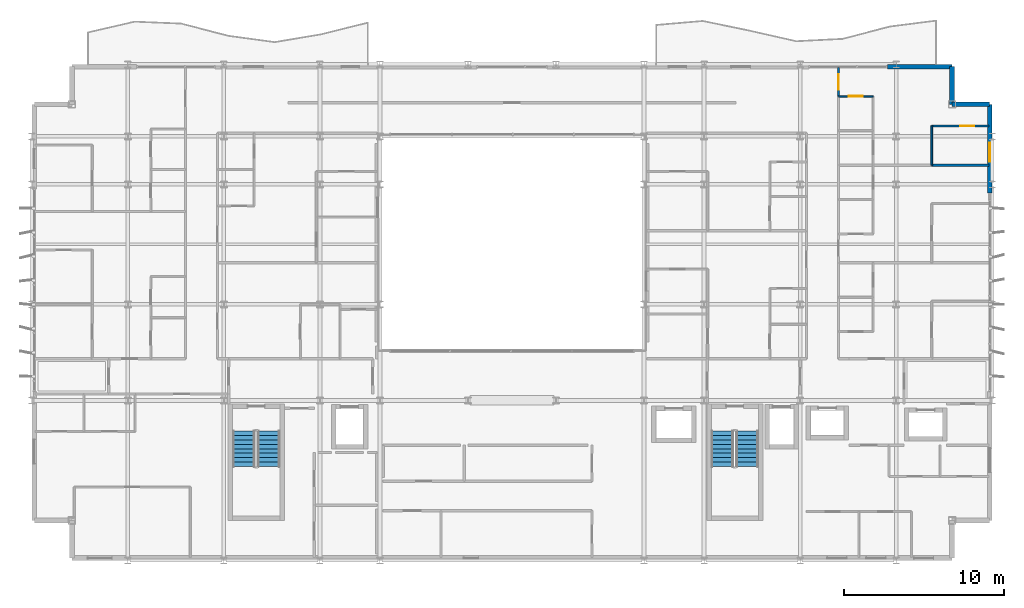
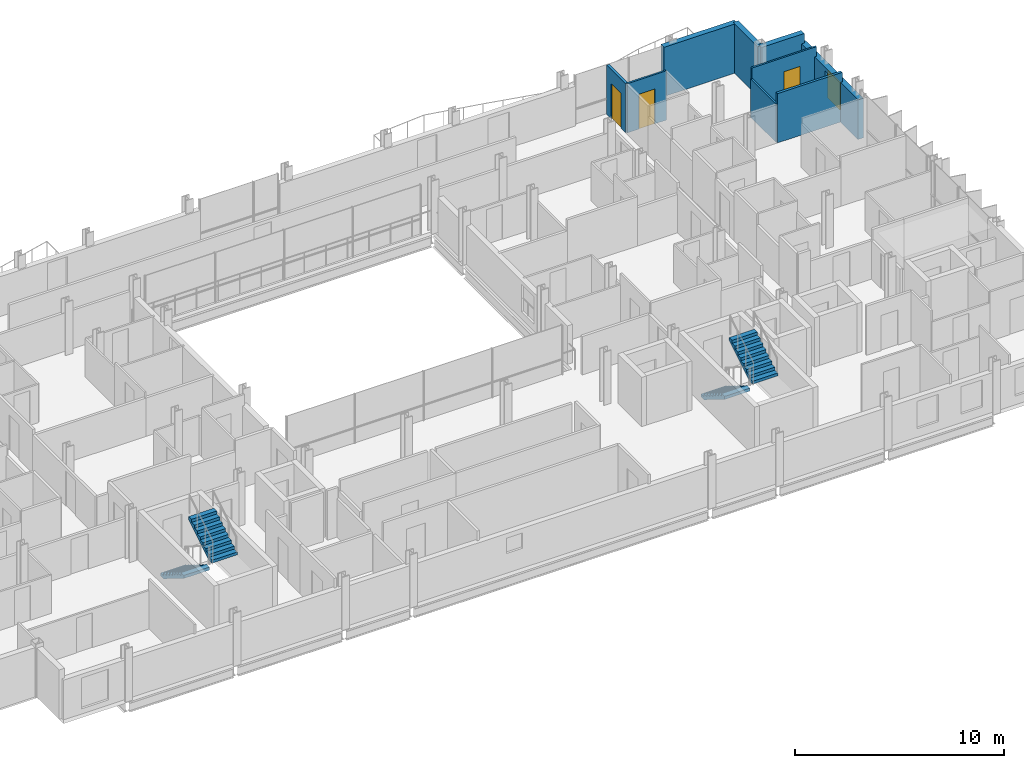
# One storey, part 33 of 38: 9 walls, 4 stair flights, 3 doors, 1 window, 4 openings, 2 elements without a shape of their own.
"""IFC4 building model written with IfcOpenShell, lengths in metres."""

import ifcopenshell
import ifcopenshell.guid

model = None  # the IFC model being written
_history = None  # IfcOwnerHistory: only IFC2X3 demands one
_inside = {}  # id of a spatial element -> (the spatial element, [elements in it])
_under = {}  # id of a project, library or spatial element -> (it, [spatial elements below it])
_declared = {}  # id of a project -> (the project, [libraries it declares])
_typed = {}  # id of a type object -> (the type object, [elements of that type])
_made_of = {}  # id of a material, layer set ... -> (it, [elements and type objects made of it])


def new_model(schema):
    """Start an empty IFC model of exactly this schema.

    Asked for "IFC4X3", IfcOpenShell would pick the latest addendum, in which some entities
    have other attributes; the version numbers below select the first issue.
    IFC2X3 requires an IfcOwnerHistory on every rooted entity: one is made here for all.
    """
    global model, _history
    if schema == "IFC4X3":
        model = ifcopenshell.file(schema_version=(4, 3, 0, 0))
    else:
        model = ifcopenshell.file(schema=schema)
    _inside.clear()
    _under.clear()
    _declared.clear()
    _typed.clear()
    _made_of.clear()
    _history = None
    if model.schema == "IFC2X3":
        org = make("IfcOrganization", Name="unknown")
        user = make(
            "IfcPersonAndOrganization",
            ThePerson=make("IfcPerson", FamilyName="unknown"),
            TheOrganization=org,
        )
        app = make(
            "IfcApplication",
            ApplicationDeveloper=org,
            Version="unknown",
            ApplicationFullName="unknown",
            ApplicationIdentifier="unknown",
        )
        _history = make(
            "IfcOwnerHistory",
            OwningUser=user,
            OwningApplication=app,
            ChangeAction="ADDED",
            CreationDate=0,
        )
    return model


def make(cls, **values):
    """One entity of the class cls with the attributes given. An attribute that is None is left unset."""
    return model.create_entity(
        cls, **{name: value for name, value in values.items() if value is not None}
    )


def rooted(cls, **values):
    """An entity with a GlobalId (a new one), such as an element, a storey or a relation."""
    return make(cls, GlobalId=ifcopenshell.guid.new(), OwnerHistory=_history, **values)


def si_unit(unit_type, name, prefix=None):
    """IfcSIUnit, for example si_unit("LENGTHUNIT", "METRE", prefix="MILLI")."""
    return make("IfcSIUnit", UnitType=unit_type, Prefix=prefix, Name=name)


def assignment(units):
    """IfcUnitAssignment: the units of a project."""
    return None if units is None else make("IfcUnitAssignment", Units=units)


def point(xyz):
    """IfcCartesianPoint."""
    return None if xyz is None else make("IfcCartesianPoint", Coordinates=xyz)


def direction(xyz):
    """IfcDirection."""
    return None if xyz is None else make("IfcDirection", DirectionRatios=xyz)


def frame(location, z_axis=None, x_axis=None):
    """IfcAxis2Placement3D, a coordinate frame: its origin and axes. An axis left out is left unset."""
    return make(
        "IfcAxis2Placement3D",
        Location=point(location),
        Axis=direction(z_axis),
        RefDirection=direction(x_axis),
    )


def frame_2d(location, x_axis=None):
    """IfcAxis2Placement2D, a coordinate frame in the plane: its origin and x axis."""
    return make(
        "IfcAxis2Placement2D", Location=point(location), RefDirection=direction(x_axis)
    )


def origin():
    """The frame at (0, 0, 0) with its axes left unset."""
    return frame((0.0, 0.0, 0.0))


def place(relative_to, where):
    """IfcLocalPlacement: puts the frame where relative to a parent placement (None: the world)."""
    return make(
        "IfcLocalPlacement", PlacementRelTo=relative_to, RelativePlacement=where
    )


def context(
    kind, dimensions, precision=None, world=None, true_north=None, identifier=None
):
    """IfcGeometricRepresentationContext, for example the 3D "Model" context."""
    return make(
        "IfcGeometricRepresentationContext",
        ContextIdentifier=identifier,
        ContextType=kind,
        CoordinateSpaceDimension=dimensions,
        Precision=precision,
        WorldCoordinateSystem=world,
        TrueNorth=true_north,
    )


def subcontext(parent, identifier, kind, view, scale=None):
    """IfcGeometricRepresentationSubContext, for example "Body" below "Model"."""
    return make(
        "IfcGeometricRepresentationSubContext",
        ContextIdentifier=identifier,
        ContextType=kind,
        ParentContext=parent,
        TargetScale=scale,
        TargetView=view,
    )


def project(units=None, contexts=None):
    """IfcProject with its units and contexts."""
    return rooted(
        "IfcProject",
        Name="project",
        RepresentationContexts=contexts,
        UnitsInContext=assignment(units),
    )


def spatial(cls, under=None, at=None, **own):
    """A site, building, storey or space (cls), placed at a placement, below another one or the project."""
    s = rooted(cls, ObjectPlacement=at, **own)
    if under is not None:
        _under.setdefault(under.id(), (under, []))[1].append(s)
    return s


def polyline(points):
    """IfcPolyline through the points."""
    return make("IfcPolyline", Points=[point(p) for p in points])


def profile(cls, at=None, kind="AREA", **sizes):
    """A parametric profile (cls). Its sizes go by their IFC names, for example OverallWidth=200.0."""
    return make(cls, ProfileType=kind, Position=at, **sizes)


def rectangle(**sizes):
    """IfcRectangleProfileDef."""
    return profile("IfcRectangleProfileDef", **sizes)


def outline(outer, holes=None, kind="AREA"):
    """IfcArbitraryClosedProfileDef: a profile drawn as a closed curve; with holes, ...WithVoids."""
    if holes is None:
        return make("IfcArbitraryClosedProfileDef", ProfileType=kind, OuterCurve=outer)
    return make(
        "IfcArbitraryProfileDefWithVoids",
        ProfileType=kind,
        OuterCurve=outer,
        InnerCurves=holes,
    )


def extrude(swept, where, along, depth):
    """IfcExtrudedAreaSolid: the profile swept, set in the frame where, extruded along a direction by depth."""
    return make(
        "IfcExtrudedAreaSolid",
        SweptArea=swept,
        Position=where,
        ExtrudedDirection=direction(along),
        Depth=depth,
    )


def shape(context_of_items, identifier, shape_type, items):
    """IfcShapeRepresentation: the items that make up one representation, for example the "Body"."""
    return make(
        "IfcShapeRepresentation",
        ContextOfItems=context_of_items,
        RepresentationIdentifier=identifier,
        RepresentationType=shape_type,
        Items=items,
    )


def material(Name=None, Category=None):
    """IfcMaterial."""
    return make("IfcMaterial", Name=Name, Category=Category)


def layer(
    of_material, thickness, ventilated=None, Name=None, Category=None, Priority=None
):
    """IfcMaterialLayer: one layer of a wall or slab, of a material (None: an air gap)."""
    return make(
        "IfcMaterialLayer",
        Material=of_material,
        LayerThickness=thickness,
        IsVentilated=ventilated,
        Name=Name,
        Category=Category,
        Priority=Priority,
    )


def layer_set(layers, Name=None):
    """IfcMaterialLayerSet."""
    return make("IfcMaterialLayerSet", MaterialLayers=layers, LayerSetName=Name)


def made_of(thing, what):
    """Note that an element or type object is made of a material, layer set ...; save() writes the relation."""
    if what is not None:
        _made_of.setdefault(what.id(), (what, []))[1].append(thing)
    return thing


def type_object(cls, material=None, **own):
    """A type object (cls), such as IfcWallType, which elements share."""
    return made_of(rooted(cls, **own), material)


def element(
    cls,
    number,
    at=None,
    inside=None,
    cuts=None,
    type_object=None,
    material=None,
    context=None,
    identifier="Body",
    shape_type=None,
    held_by="IfcProductDefinitionShape",
    body=None,
    shapes=None,
    **own,
):
    """One element of the class cls, such as IfcWall. Its Tag is "e" and its number.

    at: its placement. inside: the storey or other place that contains it. cuts: it is an
    opening in that element (IfcRelVoidsElement). A single representation is given by context,
    identifier, shape_type and body (its items); several are given by shapes. held_by: the class
    of the entity that holds the representations. save() writes the other relations.
    """
    e = rooted(cls, Tag="e%d" % number, ObjectPlacement=at, **own)
    if body is not None:
        shapes = [shape(context, identifier, shape_type, body)]
    if shapes is not None:
        e.Representation = make(held_by, Representations=shapes)
    if inside is not None:
        _inside.setdefault(inside.id(), (inside, []))[1].append(e)
    if cuts is not None:
        rooted(
            "IfcRelVoidsElement", RelatingBuildingElement=cuts, RelatedOpeningElement=e
        )
    if type_object is not None:
        _typed.setdefault(type_object.id(), (type_object, []))[1].append(e)
    return made_of(e, material)


def fill(opening, filler):
    """IfcRelFillsElement: the door or window that sits in an opening."""
    return rooted(
        "IfcRelFillsElement",
        RelatingOpeningElement=opening,
        RelatedBuildingElement=filler,
    )


def aggregate(whole, parts):
    """IfcRelAggregates: a whole, such as a stair, and the parts it consists of."""
    return rooted("IfcRelAggregates", RelatingObject=whole, RelatedObjects=parts)


def save(model, path):
    """Write the relations noted so far, then the file.

    IfcRelAggregates (storeys below a building ...), IfcRelContainedInSpatialStructure (elements
    in a storey), IfcRelDefinesByType, IfcRelAssociatesMaterial and IfcRelDeclares: one each for
    every whole, place, type object, material and project.
    """
    for whole, parts in _under.values():
        aggregate(whole, parts)
    for where, things in _inside.values():
        rooted(
            "IfcRelContainedInSpatialStructure",
            RelatedElements=things,
            RelatingStructure=where,
        )
    for kind, things in _typed.values():
        rooted("IfcRelDefinesByType", RelatedObjects=things, RelatingType=kind)
    for what, things in _made_of.values():
        rooted("IfcRelAssociatesMaterial", RelatedObjects=things, RelatingMaterial=what)
    for by, libraries in _declared.values():
        rooted("IfcRelDeclares", RelatingContext=by, RelatedDefinitions=libraries)
    model.write(path)


model = new_model("IFC4")

# Units and contexts
model_context = context("Model", 3, precision=1e-05, world=origin(), true_north=direction((0.0, 1.0)))
body_context = subcontext(model_context, "Body", "Model", "MODEL_VIEW")
ifc_project = project(units=[si_unit("LENGTHUNIT", "METRE"), si_unit("AREAUNIT", "SQUARE_METRE"), si_unit("VOLUMEUNIT", "CUBIC_METRE"), si_unit("PLANEANGLEUNIT", "RADIAN"), si_unit("MASSUNIT", "GRAM", prefix="KILO")], contexts=[model_context])

# Site, building, storey
site_placement = place(None, origin())
site = spatial("IfcSite", under=ifc_project, at=site_placement, CompositionType="ELEMENT")
building_placement = place(site_placement, origin())
building = spatial("IfcBuilding", under=site, at=building_placement, Name="Brevholm Reach", CompositionType="ELEMENT")
storey_placement = place(building_placement, frame((0.0, 0.0, 122.10009765625)))
storey = spatial("IfcBuildingStorey", under=building, at=storey_placement, Name="L36", CompositionType="ELEMENT", Elevation=122.10009765625)

# Walls
ifc_material_1 = material(Name="Concrete C40/50", Category="concrete")
ifc_layer_1 = layer(ifc_material_1, 0.300048828125)
ifc_layer_set_1 = layer_set([ifc_layer_1], Name="Concrete C40/50")
wall_type_1 = type_object("IfcWallType", Name="WAL-EXT-300", PredefinedType="STANDARD", material=ifc_layer_set_1)
for number, where, z_axis, x_axis, name in (
    (1, (59.85009765625, 28.5, 0.0), (0.0, 0.0, 1.0), (-1.0, 0.0, 0.0), "L36 Facade Wall WAL-L36-CNE1"),
    (2, (57.5, 28.5, 0.0), (0.0, 0.0, 1.0), (0.0, 1.0, 0.0), "L36 Facade Wall WAL-L36-CNE2"),
):
    element("IfcWall", number, at=place(storey_placement, frame(where, z_axis=z_axis, x_axis=x_axis)), inside=storey, type_object=wall_type_1, Name=name, PredefinedType="STANDARD", context=body_context, shape_type="SweptSolid", body=[
        extrude(rectangle(XDim=2.35009765625, YDim=0.300048828125, at=frame_2d((1.175048828125, 0.0))), origin(), (0.0, 0.0, 1.0), 2.8798828125),
    ])

# Wall, opening, window
wall_1_placement = place(storey_placement, frame((59.85009765625, 22.949951171875, 0.0), z_axis=(0.0, 0.0, 1.0), x_axis=(0.0, 1.0, 0.0)))
wall_1 = element("IfcWall", 3, at=wall_1_placement, inside=storey, type_object=wall_type_1, Name="L36 Facade Wall WAL-L36-E-N", PredefinedType="STANDARD", context=body_context, shape_type="SweptSolid", body=[
    extrude(rectangle(XDim=5.550048828125, YDim=0.300048828125, at=frame_2d((2.77490234375, 0.0))), origin(), (0.0, 0.0, 1.0), 2.32177734375),
])
opening_1_placement = place(wall_1_placement, frame((1.949951171875, 0.0, 0.501953125)))
opening_1 = element("IfcOpeningElement", 4, at=opening_1_placement, cuts=wall_1, Name="Opening WN-08", PredefinedType="OPENING", context=body_context, shape_type="SweptSolid", body=[
    extrude(rectangle(XDim=1.199951171875, YDim=1.60009765625, at=frame_2d((0.60009765625, 0.800048828125))), frame((0.0, 0.159912109375, 0.0), z_axis=(0.0, -1.0, 0.0), x_axis=(1.0, 0.0, 0.0)), (0.0, 0.0, 1.0), 0.320068359375),
])
ifc_material_2 = material(Name="Dark Anodised Aluminium and Solar-Control IGU Glass", Category="aluminium")
window_type = type_object("IfcWindowType", Name="WIN-RES-1200", PartitioningType="SINGLE_PANEL", PredefinedType="WINDOW", material=ifc_material_2)
window_placement = place(opening_1_placement, origin())
window = element("IfcWindow", 5, at=window_placement, inside=storey, type_object=window_type, Name="L36 Window WIN-L36-EN-1", OverallHeight=1.60009765625, OverallWidth=1.199951171875, PartitioningType="SINGLE_PANEL", PredefinedType="WINDOW", context=body_context, shape_type="SweptSolid", body=[
    extrude(rectangle(XDim=1.199951171875, YDim=1.60009765625, at=frame_2d((0.60009765625, 0.800048828125))), frame((0.0, 0.030029296875, 0.0), z_axis=(0.0, -1.0, 0.0), x_axis=(1.0, 0.0, 0.0)), (0.0, 0.0, 1.0), 0.06005859375),
])
fill(opening_1, window)

# Wall
wall_2_placement = place(storey_placement, frame((53.449951171875, 30.85009765625, 0.0), z_axis=(0.0, 0.0, 1.0), x_axis=(1.0, 0.0, 0.0)))
element("IfcWall", 6, at=wall_2_placement, inside=storey, type_object=wall_type_1, Name="L36 Facade Wall WAL-L36-NP-E0", PredefinedType="STANDARD", context=body_context, shape_type="SweptSolid", body=[
    extrude(rectangle(XDim=4.050048828125, YDim=0.300048828125, at=frame_2d((2.02490234375, 0.0))), origin(), (0.0, 0.0, 1.0), 2.8798828125),
])

# Wall, opening, door
ifc_material_3 = material(Name="Moisture-Resistant Acoustic Gypsum Stud Partition 100 mm", Category="gypsum")
ifc_layer_2 = layer(ifc_material_3, 0.10009765625)
ifc_layer_set_2 = layer_set([ifc_layer_2], Name="Moisture-Resistant Acoustic Gypsum Stud Partition 100 mm")
wall_type_2 = type_object("IfcWallType", Name="WAL-PRT-100", PredefinedType="PARTITIONING", material=ifc_layer_set_2)
wall_3_placement = place(storey_placement, frame((50.404052734375, 29.0, 0.0), z_axis=(0.0, 0.0, 1.0), x_axis=(1.0, 0.0, 0.0)))
wall_3 = element("IfcWall", 7, at=wall_3_placement, inside=storey, type_object=wall_type_2, Name="L36 Internal Partition 158", PredefinedType="PARTITIONING", context=body_context, shape_type="SweptSolid", body=[
    extrude(rectangle(XDim=2.157958984375, YDim=0.10009765625, at=frame_2d((1.0791015625, 0.0))), origin(), (0.0, 0.0, 1.0), 2.8798828125),
])
opening_2_placement = place(wall_3_placement, frame((0.638916015625, 0.0, 0.0)))
opening_2 = element("IfcOpeningElement", 8, at=opening_2_placement, cuts=wall_3, Name="Opening ID-01", PredefinedType="OPENING", context=body_context, shape_type="SweptSolid", body=[
    extrude(rectangle(XDim=0.8798828125, YDim=2.0400390625, at=frame_2d((0.43994140625, 1.02001953125))), frame((0.0, 0.06005859375, 0.0), z_axis=(0.0, -1.0, 0.0), x_axis=(1.0, 0.0, 0.0)), (0.0, 0.0, 1.0), 0.1201171875),
])
ifc_material_4 = material(Name="Lacquered Ash Solid-Core Acoustic Internal Door", Category="timber")
door_type_1 = type_object("IfcDoorType", Name="DOR-INT-880", OperationType="NOTDEFINED", PredefinedType="DOOR", material=ifc_material_4)
door_1_placement = place(opening_2_placement, origin())
door_1 = element("IfcDoor", 9, at=door_1_placement, inside=storey, type_object=door_type_1, Name="L36 Internal Door 060", OperationType="SINGLE_SWING_RIGHT", OverallHeight=2.0400390625, OverallWidth=0.8798828125, PredefinedType="DOOR", context=body_context, shape_type="SweptSolid", body=[
    extrude(rectangle(XDim=0.8798828125, YDim=2.0400390625, at=frame_2d((0.43994140625, 1.02001953125))), frame((0.0, 0.02490234375, 0.0), z_axis=(0.0, -1.0, 0.0), x_axis=(1.0, 0.0, 0.0)), (0.0, 0.0, 1.0), 0.050048828125),
])
fill(opening_2, door_1)

wall_4_placement = place(storey_placement, frame((56.22802734375, 27.14990234375, 0.0), z_axis=(0.0, 0.0, 1.0), x_axis=(1.0, 0.0, 0.0)))
wall_4 = element("IfcWall", 10, at=wall_4_placement, inside=storey, type_object=wall_type_2, Name="L36 Internal Partition 159", PredefinedType="PARTITIONING", context=body_context, shape_type="SweptSolid", body=[
    extrude(rectangle(XDim=3.572021484375, YDim=0.10009765625, at=frame_2d((1.7861328125, 0.0))), origin(), (0.0, 0.0, 1.0), 2.8798828125),
])
opening_3_placement = place(wall_4_placement, frame((1.785888671875, 0.0, 0.0)))
opening_3 = element("IfcOpeningElement", 11, at=opening_3_placement, cuts=wall_4, Name="Opening ID-01", PredefinedType="OPENING", context=body_context, shape_type="SweptSolid", body=[
    extrude(rectangle(XDim=0.8798828125, YDim=2.0400390625, at=frame_2d((0.43994140625, 1.02001953125))), frame((0.0, 0.06005859375, 0.0), z_axis=(0.0, -1.0, 0.0), x_axis=(1.0, 0.0, 0.0)), (0.0, 0.0, 1.0), 0.1201171875),
])
door_2_placement = place(opening_3_placement, origin())
door_2 = element("IfcDoor", 12, at=door_2_placement, inside=storey, type_object=door_type_1, Name="L36 Internal Door 061", OperationType="SINGLE_SWING_LEFT", OverallHeight=2.0400390625, OverallWidth=0.8798828125, PredefinedType="DOOR", context=body_context, shape_type="SweptSolid", body=[
    extrude(rectangle(XDim=0.8798828125, YDim=2.0400390625, at=frame_2d((0.43994140625, 1.02001953125))), frame((0.0, 0.02490234375, 0.0), z_axis=(0.0, -1.0, 0.0), x_axis=(1.0, 0.0, 0.0)), (0.0, 0.0, 1.0), 0.050048828125),
])
fill(opening_3, door_2)

# Wall
wall_5_placement = place(storey_placement, frame((56.22802734375, 24.7041015625, 0.0), z_axis=(0.0, 0.0, 1.0), x_axis=(0.0, 1.0, 0.0)))
element("IfcWall", 13, at=wall_5_placement, inside=storey, type_object=wall_type_2, Name="L36 Internal Partition 160", PredefinedType="PARTITIONING", context=body_context, shape_type="SweptSolid", body=[
    extrude(rectangle(XDim=2.44580078125, YDim=0.10009765625, at=frame_2d((1.222900390625, 0.0))), origin(), (0.0, 0.0, 1.0), 2.24267578125),
])

# Wall, opening, door
ifc_material_5 = material(Name="Twin-Stud Acoustic Fire-Rated Gypsum Partition 140 mm", Category="gypsum")
ifc_layer_3 = layer(ifc_material_5, 0.139892578125)
ifc_layer_set_3 = layer_set([ifc_layer_3], Name="Twin-Stud Acoustic Fire-Rated Gypsum Partition 140 mm")
wall_type_3 = type_object("IfcWallType", Name="WAL-PRT-140", PredefinedType="PARTITIONING", material=ifc_layer_set_3)
wall_6_placement = place(storey_placement, frame((50.39990234375, 28.99267578125, 0.0), z_axis=(0.0, 0.0, 1.0), x_axis=(0.0, 1.0, 0.0)))
wall_6 = element("IfcWall", 14, at=wall_6_placement, inside=storey, type_object=wall_type_3, Name="L36 Internal Partition 060", PredefinedType="PARTITIONING", context=body_context, shape_type="SweptSolid", body=[
    extrude(rectangle(XDim=1.807373046875, YDim=0.139892578125, at=frame_2d((0.90380859375, 0.0))), origin(), (0.0, 0.0, 1.0), 2.8798828125),
])
opening_4_placement = place(wall_6_placement, frame((0.4287109375, 0.0, 0.0)))
opening_4 = element("IfcOpeningElement", 15, at=opening_4_placement, cuts=wall_6, Name="Opening ID-30", PredefinedType="OPENING", context=body_context, shape_type="SweptSolid", body=[
    extrude(rectangle(XDim=0.949951171875, YDim=2.050048828125, at=frame_2d((0.47509765625, 1.02490234375))), frame((0.0, 0.079833984375, 0.0), z_axis=(0.0, -1.0, 0.0), x_axis=(1.0, 0.0, 0.0)), (0.0, 0.0, 1.0), 0.159912109375),
])
ifc_material_6 = material(Name="European Oak Veneered Solid-Core Fire Entrance Door", Category="timber")
door_type_2 = type_object("IfcDoorType", Name="DOR-FLT-FD30S", OperationType="NOTDEFINED", PredefinedType="DOOR", material=ifc_material_6)
door_3_placement = place(opening_4_placement, origin())
door_3 = element("IfcDoor", 16, at=door_3_placement, inside=storey, type_object=door_type_2, Name="L36 Internal Door 024", OperationType="SINGLE_SWING_RIGHT", OverallHeight=2.050048828125, OverallWidth=0.949951171875, PredefinedType="DOOR", context=body_context, shape_type="SweptSolid", body=[
    extrude(rectangle(XDim=0.949951171875, YDim=2.050048828125, at=frame_2d((0.47509765625, 1.02490234375))), frame((0.0, 0.02490234375, 0.0), z_axis=(0.0, -1.0, 0.0), x_axis=(1.0, 0.0, 0.0)), (0.0, 0.0, 1.0), 0.050048828125),
])
fill(opening_4, door_3)

# Wall
wall_7_placement = place(storey_placement, frame((56.216796875, 24.699951171875, 0.0), z_axis=(0.0, 0.0, 1.0), x_axis=(1.0, 0.0, 0.0)))
element("IfcWall", 17, at=wall_7_placement, inside=storey, type_object=wall_type_3, Name="L36 Internal Partition 153", PredefinedType="PARTITIONING", context=body_context, shape_type="SweptSolid", body=[
    extrude(rectangle(XDim=3.583251953125, YDim=0.139892578125, at=frame_2d((1.79150390625, 0.0))), origin(), (0.0, 0.0, 1.0), 2.8798828125),
])

# Stair, stair flights
ifc_material_7 = material(Name="Precast Concrete C40/50", Category="concrete")
stair_type = type_object("IfcStairType", Name="STR-ESC-1400", PredefinedType="DOUBLE_RETURN_STAIR", material=ifc_material_7)
stair_1_placement = place(storey_placement, origin())
stair_1 = element("IfcStair", 18, at=stair_1_placement, inside=storey, type_object=stair_type, Name="L36 ST-1", PredefinedType="DOUBLE_RETURN_STAIR")
ifc_material_8 = material(Name="Precast Concrete C40/50", Category="concrete")
ifc_layer_4 = layer(ifc_material_8, 0.18505859375)
ifc_layer_set_4 = layer_set([ifc_layer_4], Name="Precast Concrete C40/50")
stair_flight_type = type_object("IfcStairFlightType", Name="STF-PRC-185", PredefinedType="STRAIGHT", material=ifc_layer_set_4)
stair_flight_1_placement = place(storey_placement, frame((13.25, 8.10009765625, 0.0), z_axis=(0.0, 0.0, 1.0), x_axis=(0.0, -1.0, 0.0)))
stair_flight_1 = element("IfcStairFlight", 19, at=stair_flight_1_placement, type_object=stair_flight_type, Name="ST-1 flight 1", NumberOfRisers=9, NumberOfTreads=8, PredefinedType="STRAIGHT", RiserHeight=0.172222222, TreadLength=0.28, context=body_context, shape_type="SweptSolid", body=[
    extrude(outline(polyline([(0.0, 0.0), (0.0, 0.172119140625), (0.280029296875, 0.172119140625), (0.280029296875, 0.344482421875), (0.56005859375, 0.344482421875), (0.56005859375, 0.5166015625), (0.840087890625, 0.5166015625), (0.840087890625, 0.68896484375), (1.1201171875, 0.68896484375), (1.1201171875, 0.861083984375), (1.39990234375, 0.861083984375), (1.39990234375, 1.033447265625), (1.679931640625, 1.033447265625), (1.679931640625, 1.20556640625), (1.9599609375, 1.20556640625), (1.9599609375, 1.377685546875), (2.239990234375, 1.377685546875), (2.239990234375, 1.550048828125), (2.239990234375, 1.201904296875), (0.2861328125, 0.0), (0.0, 0.0)])), frame((0.0, 0.699951171875, 0.0), z_axis=(0.0, -1.0, 0.0), x_axis=(1.0, 0.0, 0.0)), (0.0, 0.0, 1.0), 1.39990234375),
])
stair_flight_2_placement = place(storey_placement, frame((14.800048828125, 5.860107421875, 1.5498046875), z_axis=(0.0, 0.0, 1.0), x_axis=(0.0, 1.0, 0.0)))
stair_flight_2 = element("IfcStairFlight", 20, at=stair_flight_2_placement, type_object=stair_flight_type, Name="ST-1 flight 2", NumberOfRisers=9, NumberOfTreads=8, PredefinedType="STRAIGHT", RiserHeight=0.172222222, TreadLength=0.28, context=body_context, shape_type="SweptSolid", body=[
    extrude(outline(polyline([(0.0, 0.0), (0.0, 0.172119140625), (0.280029296875, 0.172119140625), (0.280029296875, 0.344482421875), (0.56005859375, 0.344482421875), (0.56005859375, 0.5166015625), (0.840087890625, 0.5166015625), (0.840087890625, 0.68896484375), (1.1201171875, 0.68896484375), (1.1201171875, 0.861083984375), (1.39990234375, 0.861083984375), (1.39990234375, 1.033447265625), (1.679931640625, 1.033447265625), (1.679931640625, 1.20556640625), (1.9599609375, 1.20556640625), (1.9599609375, 1.377685546875), (2.239990234375, 1.377685546875), (2.239990234375, 1.550048828125), (2.239990234375, 1.201904296875), (0.2861328125, 0.0), (0.0, 0.0)])), frame((0.0, 0.699951171875, 0.0), z_axis=(0.0, -1.0, 0.0), x_axis=(1.0, 0.0, 0.0)), (0.0, 0.0, 1.0), 1.39990234375),
])
aggregate(stair_1, [stair_flight_1, stair_flight_2])

stair_2_placement = place(storey_placement, origin())
stair_2 = element("IfcStair", 21, at=stair_2_placement, inside=storey, type_object=stair_type, Name="L36 ST-2", PredefinedType="DOUBLE_RETURN_STAIR")
stair_flight_3_placement = place(storey_placement, frame((43.14990234375, 8.10009765625, 0.0), z_axis=(0.0, 0.0, 1.0), x_axis=(0.0, -1.0, 0.0)))
stair_flight_3 = element("IfcStairFlight", 22, at=stair_flight_3_placement, type_object=stair_flight_type, Name="ST-2 flight 1", NumberOfRisers=9, NumberOfTreads=8, PredefinedType="STRAIGHT", RiserHeight=0.172222222, TreadLength=0.28, context=body_context, shape_type="SweptSolid", body=[
    extrude(outline(polyline([(0.0, 0.0), (0.0, 0.172119140625), (0.280029296875, 0.172119140625), (0.280029296875, 0.344482421875), (0.56005859375, 0.344482421875), (0.56005859375, 0.5166015625), (0.840087890625, 0.5166015625), (0.840087890625, 0.68896484375), (1.1201171875, 0.68896484375), (1.1201171875, 0.861083984375), (1.39990234375, 0.861083984375), (1.39990234375, 1.033447265625), (1.679931640625, 1.033447265625), (1.679931640625, 1.20556640625), (1.9599609375, 1.20556640625), (1.9599609375, 1.377685546875), (2.239990234375, 1.377685546875), (2.239990234375, 1.550048828125), (2.239990234375, 1.201904296875), (0.2861328125, 0.0), (0.0, 0.0)])), frame((0.0, 0.699951171875, 0.0), z_axis=(0.0, -1.0, 0.0), x_axis=(1.0, 0.0, 0.0)), (0.0, 0.0, 1.0), 1.39990234375),
])
stair_flight_4_placement = place(storey_placement, frame((44.699951171875, 5.860107421875, 1.5498046875), z_axis=(0.0, 0.0, 1.0), x_axis=(0.0, 1.0, 0.0)))
stair_flight_4 = element("IfcStairFlight", 23, at=stair_flight_4_placement, type_object=stair_flight_type, Name="ST-2 flight 2", NumberOfRisers=9, NumberOfTreads=8, PredefinedType="STRAIGHT", RiserHeight=0.172222222, TreadLength=0.28, context=body_context, shape_type="SweptSolid", body=[
    extrude(outline(polyline([(0.0, 0.0), (0.0, 0.172119140625), (0.280029296875, 0.172119140625), (0.280029296875, 0.344482421875), (0.56005859375, 0.344482421875), (0.56005859375, 0.5166015625), (0.840087890625, 0.5166015625), (0.840087890625, 0.68896484375), (1.1201171875, 0.68896484375), (1.1201171875, 0.861083984375), (1.39990234375, 0.861083984375), (1.39990234375, 1.033447265625), (1.679931640625, 1.033447265625), (1.679931640625, 1.20556640625), (1.9599609375, 1.20556640625), (1.9599609375, 1.377685546875), (2.239990234375, 1.377685546875), (2.239990234375, 1.550048828125), (2.239990234375, 1.201904296875), (0.2861328125, 0.0), (0.0, 0.0)])), frame((0.0, 0.699951171875, 0.0), z_axis=(0.0, -1.0, 0.0), x_axis=(1.0, 0.0, 0.0)), (0.0, 0.0, 1.0), 1.39990234375),
])
aggregate(stair_2, [stair_flight_3, stair_flight_4])

save(model, "model.ifc")
